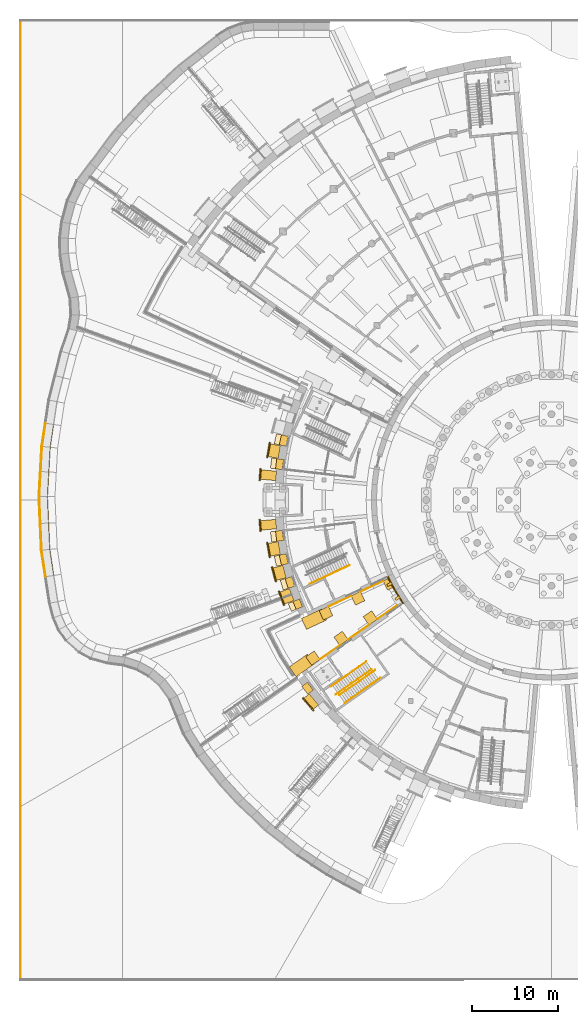
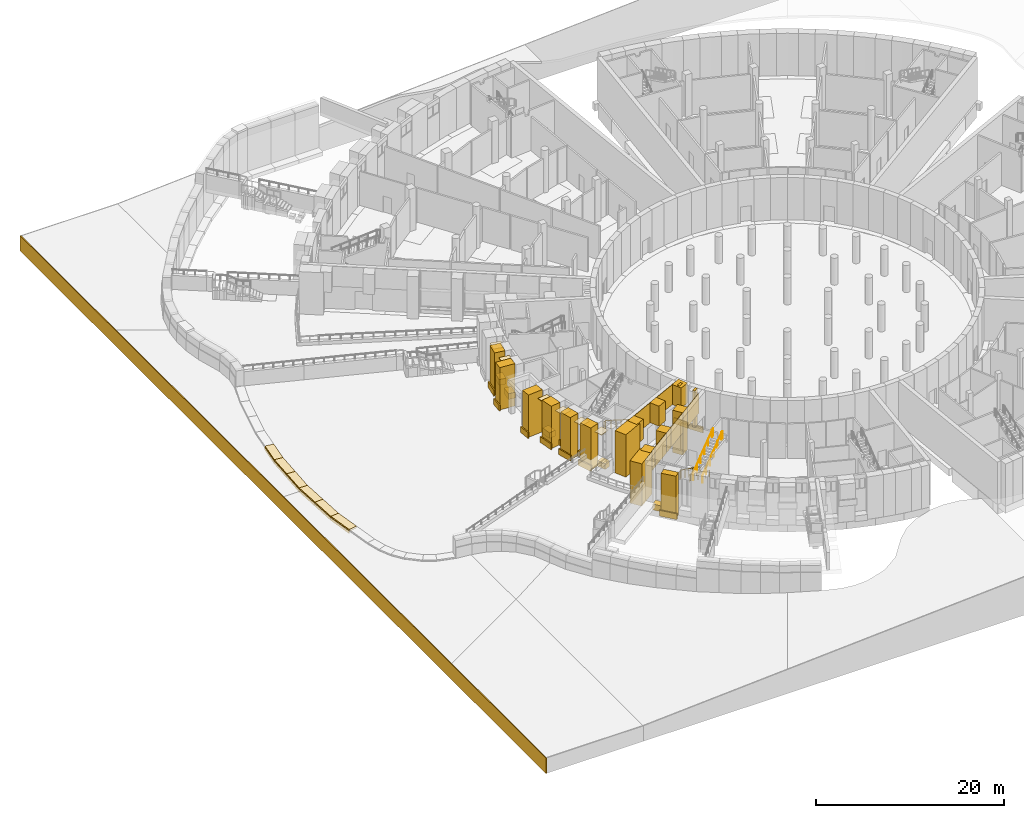
# One storey, part 55 of 65: 57 coverings, 5 railings.
"""IFC4 building model written with IfcOpenShell, lengths in metres."""

import ifcopenshell
import ifcopenshell.guid

model = None  # the IFC model being written
_history = None  # IfcOwnerHistory: only IFC2X3 demands one
_inside = {}  # id of a spatial element -> (the spatial element, [elements in it])
_under = {}  # id of a project, library or spatial element -> (it, [spatial elements below it])
_declared = {}  # id of a project -> (the project, [libraries it declares])
_typed = {}  # id of a type object -> (the type object, [elements of that type])
_made_of = {}  # id of a material, layer set ... -> (it, [elements and type objects made of it])


def new_model(schema):
    """Start an empty IFC model of exactly this schema.

    Asked for "IFC4X3", IfcOpenShell would pick the latest addendum, in which some entities
    have other attributes; the version numbers below select the first issue.
    IFC2X3 requires an IfcOwnerHistory on every rooted entity: one is made here for all.
    """
    global model, _history
    if schema == "IFC4X3":
        model = ifcopenshell.file(schema_version=(4, 3, 0, 0))
    else:
        model = ifcopenshell.file(schema=schema)
    _inside.clear()
    _under.clear()
    _declared.clear()
    _typed.clear()
    _made_of.clear()
    _history = None
    if model.schema == "IFC2X3":
        org = make("IfcOrganization", Name="unknown")
        user = make(
            "IfcPersonAndOrganization",
            ThePerson=make("IfcPerson", FamilyName="unknown"),
            TheOrganization=org,
        )
        app = make(
            "IfcApplication",
            ApplicationDeveloper=org,
            Version="unknown",
            ApplicationFullName="unknown",
            ApplicationIdentifier="unknown",
        )
        _history = make(
            "IfcOwnerHistory",
            OwningUser=user,
            OwningApplication=app,
            ChangeAction="ADDED",
            CreationDate=0,
        )
    return model


def make(cls, **values):
    """One entity of the class cls with the attributes given. An attribute that is None is left unset."""
    return model.create_entity(
        cls, **{name: value for name, value in values.items() if value is not None}
    )


def rooted(cls, **values):
    """An entity with a GlobalId (a new one), such as an element, a storey or a relation."""
    return make(cls, GlobalId=ifcopenshell.guid.new(), OwnerHistory=_history, **values)


def si_unit(unit_type, name, prefix=None):
    """IfcSIUnit, for example si_unit("LENGTHUNIT", "METRE", prefix="MILLI")."""
    return make("IfcSIUnit", UnitType=unit_type, Prefix=prefix, Name=name)


def assignment(units):
    """IfcUnitAssignment: the units of a project."""
    return None if units is None else make("IfcUnitAssignment", Units=units)


def point(xyz):
    """IfcCartesianPoint."""
    return None if xyz is None else make("IfcCartesianPoint", Coordinates=xyz)


def direction(xyz):
    """IfcDirection."""
    return None if xyz is None else make("IfcDirection", DirectionRatios=xyz)


def frame(location, z_axis=None, x_axis=None):
    """IfcAxis2Placement3D, a coordinate frame: its origin and axes. An axis left out is left unset."""
    return make(
        "IfcAxis2Placement3D",
        Location=point(location),
        Axis=direction(z_axis),
        RefDirection=direction(x_axis),
    )


def frame_2d(location, x_axis=None):
    """IfcAxis2Placement2D, a coordinate frame in the plane: its origin and x axis."""
    return make(
        "IfcAxis2Placement2D", Location=point(location), RefDirection=direction(x_axis)
    )


def origin():
    """The frame at (0, 0, 0) with its axes left unset."""
    return frame((0.0, 0.0, 0.0))


def origin_2d():
    """The frame at (0, 0) in the plane with its x axis left unset."""
    return frame_2d((0.0, 0.0))


def place(relative_to, where):
    """IfcLocalPlacement: puts the frame where relative to a parent placement (None: the world)."""
    return make(
        "IfcLocalPlacement", PlacementRelTo=relative_to, RelativePlacement=where
    )


def context(
    kind, dimensions, precision=None, world=None, true_north=None, identifier=None
):
    """IfcGeometricRepresentationContext, for example the 3D "Model" context."""
    return make(
        "IfcGeometricRepresentationContext",
        ContextIdentifier=identifier,
        ContextType=kind,
        CoordinateSpaceDimension=dimensions,
        Precision=precision,
        WorldCoordinateSystem=world,
        TrueNorth=true_north,
    )


def subcontext(parent, identifier, kind, view, scale=None):
    """IfcGeometricRepresentationSubContext, for example "Body" below "Model"."""
    return make(
        "IfcGeometricRepresentationSubContext",
        ContextIdentifier=identifier,
        ContextType=kind,
        ParentContext=parent,
        TargetScale=scale,
        TargetView=view,
    )


def project(units=None, contexts=None):
    """IfcProject with its units and contexts."""
    return rooted(
        "IfcProject",
        Name="project",
        RepresentationContexts=contexts,
        UnitsInContext=assignment(units),
    )


def spatial(cls, under=None, at=None, **own):
    """A site, building, storey or space (cls), placed at a placement, below another one or the project."""
    s = rooted(cls, ObjectPlacement=at, **own)
    if under is not None:
        _under.setdefault(under.id(), (under, []))[1].append(s)
    return s


def polyline(points):
    """IfcPolyline through the points."""
    return make("IfcPolyline", Points=[point(p) for p in points])


def profile(cls, at=None, kind="AREA", **sizes):
    """A parametric profile (cls). Its sizes go by their IFC names, for example OverallWidth=200.0."""
    return make(cls, ProfileType=kind, Position=at, **sizes)


def rectangle(**sizes):
    """IfcRectangleProfileDef."""
    return profile("IfcRectangleProfileDef", **sizes)


def circle(**sizes):
    """IfcCircleProfileDef."""
    return profile("IfcCircleProfileDef", **sizes)


def outline(outer, holes=None, kind="AREA"):
    """IfcArbitraryClosedProfileDef: a profile drawn as a closed curve; with holes, ...WithVoids."""
    if holes is None:
        return make("IfcArbitraryClosedProfileDef", ProfileType=kind, OuterCurve=outer)
    return make(
        "IfcArbitraryProfileDefWithVoids",
        ProfileType=kind,
        OuterCurve=outer,
        InnerCurves=holes,
    )


def extrude(swept, where, along, depth):
    """IfcExtrudedAreaSolid: the profile swept, set in the frame where, extruded along a direction by depth."""
    return make(
        "IfcExtrudedAreaSolid",
        SweptArea=swept,
        Position=where,
        ExtrudedDirection=direction(along),
        Depth=depth,
    )


def shape(context_of_items, identifier, shape_type, items):
    """IfcShapeRepresentation: the items that make up one representation, for example the "Body"."""
    return make(
        "IfcShapeRepresentation",
        ContextOfItems=context_of_items,
        RepresentationIdentifier=identifier,
        RepresentationType=shape_type,
        Items=items,
    )


def material(Name=None, Category=None):
    """IfcMaterial."""
    return make("IfcMaterial", Name=Name, Category=Category)


def layer(
    of_material, thickness, ventilated=None, Name=None, Category=None, Priority=None
):
    """IfcMaterialLayer: one layer of a wall or slab, of a material (None: an air gap)."""
    return make(
        "IfcMaterialLayer",
        Material=of_material,
        LayerThickness=thickness,
        IsVentilated=ventilated,
        Name=Name,
        Category=Category,
        Priority=Priority,
    )


def layer_set(layers, Name=None):
    """IfcMaterialLayerSet."""
    return make("IfcMaterialLayerSet", MaterialLayers=layers, LayerSetName=Name)


def made_of(thing, what):
    """Note that an element or type object is made of a material, layer set ...; save() writes the relation."""
    if what is not None:
        _made_of.setdefault(what.id(), (what, []))[1].append(thing)
    return thing


def type_object(cls, material=None, **own):
    """A type object (cls), such as IfcWallType, which elements share."""
    return made_of(rooted(cls, **own), material)


def element(
    cls,
    number,
    at=None,
    inside=None,
    cuts=None,
    type_object=None,
    material=None,
    context=None,
    identifier="Body",
    shape_type=None,
    held_by="IfcProductDefinitionShape",
    body=None,
    shapes=None,
    **own,
):
    """One element of the class cls, such as IfcWall. Its Tag is "e" and its number.

    at: its placement. inside: the storey or other place that contains it. cuts: it is an
    opening in that element (IfcRelVoidsElement). A single representation is given by context,
    identifier, shape_type and body (its items); several are given by shapes. held_by: the class
    of the entity that holds the representations. save() writes the other relations.
    """
    e = rooted(cls, Tag="e%d" % number, ObjectPlacement=at, **own)
    if body is not None:
        shapes = [shape(context, identifier, shape_type, body)]
    if shapes is not None:
        e.Representation = make(held_by, Representations=shapes)
    if inside is not None:
        _inside.setdefault(inside.id(), (inside, []))[1].append(e)
    if cuts is not None:
        rooted(
            "IfcRelVoidsElement", RelatingBuildingElement=cuts, RelatedOpeningElement=e
        )
    if type_object is not None:
        _typed.setdefault(type_object.id(), (type_object, []))[1].append(e)
    return made_of(e, material)


def aggregate(whole, parts):
    """IfcRelAggregates: a whole, such as a stair, and the parts it consists of."""
    return rooted("IfcRelAggregates", RelatingObject=whole, RelatedObjects=parts)


def save(model, path):
    """Write the relations noted so far, then the file.

    IfcRelAggregates (storeys below a building ...), IfcRelContainedInSpatialStructure (elements
    in a storey), IfcRelDefinesByType, IfcRelAssociatesMaterial and IfcRelDeclares: one each for
    every whole, place, type object, material and project.
    """
    for whole, parts in _under.values():
        aggregate(whole, parts)
    for where, things in _inside.values():
        rooted(
            "IfcRelContainedInSpatialStructure",
            RelatedElements=things,
            RelatingStructure=where,
        )
    for kind, things in _typed.values():
        rooted("IfcRelDefinesByType", RelatedObjects=things, RelatingType=kind)
    for what, things in _made_of.values():
        rooted("IfcRelAssociatesMaterial", RelatedObjects=things, RelatingMaterial=what)
    for by, libraries in _declared.values():
        rooted("IfcRelDeclares", RelatingContext=by, RelatedDefinitions=libraries)
    model.write(path)


model = new_model("IFC4")

# Units and contexts
model_context = context("Model", 3, precision=1e-05, world=origin(), true_north=direction((0.0, 1.0)))
body_context = subcontext(model_context, "Body", "Model", "MODEL_VIEW")
ifc_project = project(units=[si_unit("LENGTHUNIT", "METRE"), si_unit("AREAUNIT", "SQUARE_METRE"), si_unit("VOLUMEUNIT", "CUBIC_METRE"), si_unit("PLANEANGLEUNIT", "RADIAN"), si_unit("MASSUNIT", "GRAM", prefix="KILO")], contexts=[model_context])

# Site, building, storey
site_placement = place(None, origin())
site = spatial("IfcSite", under=ifc_project, at=site_placement, CompositionType="ELEMENT")
building_placement = place(site_placement, origin())
building = spatial("IfcBuilding", under=site, at=building_placement, Name="Volute Hill Aquarium", CompositionType="ELEMENT")
storey_placement = place(building_placement, frame((0.0, 0.0, -5.5)))
storey = spatial("IfcBuildingStorey", under=building, at=storey_placement, Name="L00", CompositionType="ELEMENT", Elevation=-5.5)

# Coverings
ifc_material_1 = material(Name="Blue limestone", Category="masonry")
covering_type_1 = type_object("IfcCoveringType", Name="Bluestone plinth block 275x750", PredefinedType="CLADDING", material=ifc_material_1)
for number, where, z_axis, x_axis, name in (
    (1, (-31.2119140625, 6.91943359375, 0.0), (0.0, 0.0, 1.0), (-0.216460976305, -0.976291270952, 0.0), "Bluestone plinth BPN S1 L00 3"),
    (2, (-31.6962890625, 4.1728515625, 0.0), (0.0, 0.0, 1.0), (-0.130527244804, -0.991444722798, 0.0), "Bluestone plinth BPN S1 L00 4"),
    (3, (-31.6962890625, -4.173095703125, 0.0), (0.0, 0.0, 1.0), (0.130527244804, -0.991444722798, 0.0), "Bluestone plinth BPN S1 L00 7"),
    (4, (-31.2119140625, -6.91943359375, 0.0), (0.0, 0.0, 1.0), (0.216460976305, -0.976291270952, 0.0), "Bluestone plinth BPN S1 L00 8"),
    (5, (-30.489990234375, -9.613525390625, 0.0), (0.0, 0.0, 1.0), (0.300700050093, -0.953718763512, 0.0), "Bluestone plinth BPN S1 L00 9"),
):
    element("IfcCovering", number, at=place(storey_placement, frame(where, z_axis=z_axis, x_axis=x_axis)), inside=storey, type_object=covering_type_1, Name=name, PredefinedType="CLADDING", context=body_context, shape_type="SweptSolid", body=[
        extrude(rectangle(XDim=1.19287109375, YDim=0.800048828125, at=origin_2d()), origin(), (0.0, 0.0, 1.0), 0.75),
    ])
covering_1_placement = place(storey_placement, frame((-29.574462890625, -12.141845703125, 0.0), z_axis=(0.0, 0.0, 1.0), x_axis=(0.382661654863, -0.923888552747, 0.0)))
element("IfcCovering", 6, at=covering_1_placement, inside=storey, type_object=covering_type_1, Name="Bluestone plinth BPN S1 L00 10", PredefinedType="CLADDING", context=body_context, shape_type="SweptSolid", body=[
    extrude(rectangle(XDim=0.99267578125, YDim=0.800048828125, at=origin_2d()), origin(), (0.0, 0.0, 1.0), 0.75),
])
covering_2_placement = place(storey_placement, frame((-28.43310546875, -21.943603515625, 0.0), z_axis=(0.0, 0.0, 1.0), x_axis=(0.608762000874, -0.793352901483, 0.0)))
element("IfcCovering", 7, at=covering_2_placement, inside=storey, type_object=covering_type_1, Name="Bluestone plinth BPN S2 L00 1", PredefinedType="CLADDING", context=body_context, shape_type="SweptSolid", body=[
    extrude(rectangle(XDim=1.140869140625, YDim=0.800048828125, at=origin_2d()), origin(), (0.0, 0.0, 1.0), 0.75),
])
ifc_material_2 = material(Name="Blue limestone", Category="masonry")
ifc_layer_1 = layer(ifc_material_2, 0.14990234375)
ifc_layer_set_1 = layer_set([ifc_layer_1], Name="Bluestone plinth drum block 150x750")
covering_type_2 = type_object("IfcCoveringType", Name="Bluestone plinth drum block 150x750", PredefinedType="CLADDING", material=ifc_layer_set_1)
for number, where, z_axis, x_axis, name in (
    (8, (-18.67626953125, -9.722412109375, 0.0), (0.0, 0.0, 1.0), (0.461748613235, -0.887010833178, 0.0), "Bluestone plinth BPD drum 42"),
    (9, (-17.7578125, -11.31298828125, 0.0), (0.0, 0.0, 1.0), (0.537299608347, -0.843391445813, 0.0), "Bluestone plinth BPD drum 43"),
):
    element("IfcCovering", number, at=place(storey_placement, frame(where, z_axis=z_axis, x_axis=x_axis)), inside=storey, type_object=covering_type_2, Name=name, PredefinedType="CLADDING", context=body_context, shape_type="SweptSolid", body=[
        extrude(rectangle(XDim=1.769775390625, YDim=0.14990234375, at=origin_2d()), origin(), (0.0, 0.0, 1.0), 0.75),
    ])
ifc_material_3 = material(Name="Blue limestone", Category="masonry")
ifc_layer_2 = layer(ifc_material_3, 0.14990234375)
ifc_layer_set_2 = layer_set([ifc_layer_2], Name="Bluestone plinth plate 150x750")
covering_type_3 = type_object("IfcCoveringType", Name="Bluestone plinth plate 150x750", PredefinedType="CLADDING", material=ifc_layer_set_2)
covering_3_placement = place(storey_placement, frame((-32.981201171875, 5.8154296875, 0.0), z_axis=(0.0, 0.0, 1.0), x_axis=(-0.173648177667, -0.984807753012, 0.0)))
element("IfcCovering", 10, at=covering_3_placement, inside=storey, type_object=covering_type_3, Name="Bluestone plinth BP S1 L00 3", PredefinedType="CLADDING", context=body_context, shape_type="SweptSolid", body=[
    extrude(rectangle(XDim=1.80224609375, YDim=0.14990234375, at=origin_2d()), origin(), (0.0, 0.0, 1.0), 0.75),
])
for number, where, z_axis, x_axis, name in (
    (11, (-33.96044921875, 2.97119140625, 0.0), (0.0, 0.0, 1.0), (-0.087155742748, -0.996194698092, 0.0), "Bluestone plinth BP S1 L00 4"),
    (12, (-33.96044921875, -2.97119140625, 0.0), (0.0, 0.0, 1.0), (0.087155742748, -0.996194698092, 0.0), "Bluestone plinth BP S1 L00 6"),
):
    element("IfcCovering", number, at=place(storey_placement, frame(where, z_axis=z_axis, x_axis=x_axis)), inside=storey, type_object=covering_type_3, Name=name, PredefinedType="CLADDING", context=body_context, shape_type="SweptSolid", body=[
        extrude(rectangle(XDim=1.39990234375, YDim=0.14990234375, at=origin_2d()), origin(), (0.0, 0.0, 1.0), 0.75),
    ])
for number, where, z_axis, x_axis, name in (
    (13, (-32.981201171875, -5.8154296875, 0.0), (0.0, 0.0, 1.0), (0.173648177667, -0.984807753012, 0.0), "Bluestone plinth BP S1 L00 7"),
    (14, (-32.348876953125, -8.66796875, 0.0), (0.0, 0.0, 1.0), (0.258819045103, -0.965925826289, 0.0), "Bluestone plinth BP S1 L00 8"),
    (15, (-31.47021484375, -11.454345703125, 0.0), (0.0, 0.0, 1.0), (0.342020143326, -0.939692620786, 0.0), "Bluestone plinth BP S1 L00 9"),
):
    element("IfcCovering", number, at=place(storey_placement, frame(where, z_axis=z_axis, x_axis=x_axis)), inside=storey, type_object=covering_type_3, Name=name, PredefinedType="CLADDING", context=body_context, shape_type="SweptSolid", body=[
        extrude(rectangle(XDim=1.80224609375, YDim=0.14990234375, at=origin_2d()), origin(), (0.0, 0.0, 1.0), 0.75),
    ])
covering_4_placement = place(storey_placement, frame((-28.37109375, -23.80615234375, 0.0), z_axis=(0.0, 0.0, 1.0), x_axis=(0.642787609687, -0.766044443119, 0.0)))
element("IfcCovering", 16, at=covering_4_placement, inside=storey, type_object=covering_type_3, Name="Bluestone plinth BP S2 L00 1", PredefinedType="CLADDING", context=body_context, shape_type="SweptSolid", body=[
    extrude(rectangle(XDim=1.98876953125, YDim=0.14990234375, at=origin_2d()), origin(), (0.0, 0.0, 1.0), 0.75),
])
ifc_material_4 = material(Name="Precast pale concrete C40/50", Category="concrete")
covering_type_4 = type_object("IfcCoveringType", Name="Drum pier fin 300x600", PredefinedType="CLADDING", material=ifc_material_4)
for number, where, z_axis, x_axis, name in (
    (17, (-18.8759765625, -9.826171875, 0.75), (0.0, 0.0, 1.0), (0.461748613235, -0.887010833178, 0.0), "Drum pier fin DF 42 L00"),
    (18, (-17.947509765625, -11.433837890625, 0.75), (0.0, 0.0, 1.0), (0.537299608347, -0.843391445813, 0.0), "Drum pier fin DF 43 L00"),
):
    element("IfcCovering", number, at=place(storey_placement, frame(where, z_axis=z_axis, x_axis=x_axis)), inside=storey, type_object=covering_type_4, Name=name, PredefinedType="CLADDING", context=body_context, shape_type="SweptSolid", body=[
        extrude(rectangle(XDim=0.300048828125, YDim=0.60009765625, at=origin_2d()), origin(), (0.0, 0.0, 1.0), 4.75),
    ])
ifc_material_5 = material(Name="Precast concrete C40/50", Category="concrete")
covering_type_5 = type_object("IfcCoveringType", Name="End wall precast fin C40/50 1200x1200", PredefinedType="CLADDING", material=ifc_material_5)
for number, where, z_axis, x_axis, name in (
    (19, (-18.8271484375, -9.717041015625, 2.89990234375), (0.0, 0.0, 1.0), (-0.906304180904, -0.42262599503, 0.0), "End wall fin EWF S1B L00 1"),
    (20, (-22.556640625, -11.456298828125, 2.89990234375), (0.0, 0.0, 1.0), (-0.906304180904, -0.42262599503, 0.0), "End wall fin EWF S1B L00 2"),
    (21, (-26.2861328125, -13.1953125, 2.89990234375), (0.0, 0.0, 1.0), (-0.906304180904, -0.42262599503, 0.0), "End wall fin EWF S1B L00 3"),
):
    element("IfcCovering", number, at=place(storey_placement, frame(where, z_axis=z_axis, x_axis=x_axis)), inside=storey, type_object=covering_type_5, Name=name, PredefinedType="CLADDING", context=body_context, shape_type="SweptSolid", body=[
        extrude(rectangle(XDim=1.199951171875, YDim=1.199951171875, at=origin_2d()), origin(), (0.0, 0.0, 1.0), 2.60009765625),
    ])
covering_5_placement = place(storey_placement, frame((-21.11376953125, -13.746337890625, 0.0), z_axis=(0.0, 0.0, 1.0), x_axis=(-0.81915382895, -0.573573887583, 0.0)))
element("IfcCovering", 22, at=covering_5_placement, inside=storey, type_object=covering_type_5, Name="End wall fin EWF S2A L00 2", PredefinedType="CLADDING", context=body_context, shape_type="SweptSolid", body=[
    extrude(rectangle(XDim=1.199951171875, YDim=1.199951171875, at=origin_2d()), origin(), (0.0, 0.0, 1.0), 5.5),
])
for number, where, z_axis, x_axis, name in (
    (23, (-24.521484375, -16.13232421875, 2.89990234375), (0.0, 0.0, 1.0), (-0.81915382895, -0.573573887583, 0.0), "End wall fin EWF S2A L00 3"),
    (24, (-27.80615234375, -18.432373046875, 2.89990234375), (0.0, 0.0, 1.0), (-0.81915382895, -0.573573887583, 0.0), "End wall fin EWF S2A L00 4"),
):
    element("IfcCovering", number, at=place(storey_placement, frame(where, z_axis=z_axis, x_axis=x_axis)), inside=storey, type_object=covering_type_5, Name=name, PredefinedType="CLADDING", context=body_context, shape_type="SweptSolid", body=[
        extrude(rectangle(XDim=1.199951171875, YDim=1.199951171875, at=origin_2d()), origin(), (0.0, 0.0, 1.0), 2.60009765625),
    ])
ifc_material_6 = material(Name="Precast concrete C40/50", Category="concrete")
ifc_layer_3 = layer(ifc_material_6, 0.050048828125)
ifc_layer_set_3 = layer_set([ifc_layer_3], Name="End wall precast infill panel C40/50 50")
covering_type_6 = type_object("IfcCoveringType", Name="End wall precast infill panel C40/50 50", PredefinedType="CLADDING", material=ifc_layer_set_3)
for number, where, z_axis, x_axis, name in (
    (25, (-19.62451171875, -9.427001953125, 2.89990234375), (-0.422624097709, 0.906305065657, 0.0), (-0.906305065657, -0.422624097709, 0.0), "End wall panel EWP S1B L00 1"),
    (26, (-23.35400390625, -11.166015625, 2.89990234375), (-0.422624097709, 0.906305065657, 0.0), (-0.906305065657, -0.422624097709, 0.0), "End wall panel EWP S1B L00 2"),
):
    element("IfcCovering", number, at=place(storey_placement, frame(where, z_axis=z_axis, x_axis=x_axis)), inside=storey, type_object=covering_type_6, Name=name, PredefinedType="CLADDING", context=body_context, shape_type="SweptSolid", body=[
        extrude(outline(polyline([(0.0, 0.0), (2.9149629669225328, 0.0), (2.9149629669225328, 2.60009765625), (0.0, 2.60009765625), (0.0, 0.0)])), origin(), (0.0, 0.0, -1.0), 0.050048828125),
    ])
covering_6_placement = place(storey_placement, frame((-18.005126953125, -12.240966796875, 2.89990234375), z_axis=(-0.573602281943, 0.819133946403, 0.0), x_axis=(-0.819133946403, -0.573602281943, 0.0)))
element("IfcCovering", 27, at=covering_6_placement, inside=storey, type_object=covering_type_6, Name="End wall panel EWP S2A L00 1", PredefinedType="CLADDING", context=body_context, shape_type="SweptSolid", body=[
    extrude(outline(polyline([(0.0, 0.0), (2.8099895293152697, 0.0), (2.8099895293152697, 2.60009765625), (0.0, 2.60009765625), (0.0, 0.0)])), origin(), (0.0, 0.0, -1.0), 0.050048828125),
])
covering_7_placement = place(storey_placement, frame((-21.289794921875, -14.541015625, 2.89990234375), z_axis=(-0.573550907821, 0.819169918965, 0.0), x_axis=(-0.819169918965, -0.573550907821, 0.0)))
element("IfcCovering", 28, at=covering_7_placement, inside=storey, type_object=covering_type_6, Name="End wall panel EWP S2A L00 2", PredefinedType="CLADDING", context=body_context, shape_type="SweptSolid", body=[
    extrude(outline(polyline([(0.0, 0.0), (2.960075353552525, 0.0), (2.960075353552525, 2.60009765625), (0.0, 2.60009765625), (0.0, 0.0)])), origin(), (0.0, 0.0, -1.0), 0.050048828125),
])
covering_8_placement = place(storey_placement, frame((-24.697509765625, -16.927001953125, 2.89990234375), z_axis=(-0.573602281943, 0.819133946403, 0.0), x_axis=(-0.819133946403, -0.573602281943, 0.0)))
element("IfcCovering", 29, at=covering_8_placement, inside=storey, type_object=covering_type_6, Name="End wall panel EWP S2A L00 3", PredefinedType="CLADDING", context=body_context, shape_type="SweptSolid", body=[
    extrude(outline(polyline([(0.0, 0.0), (2.8099895293152697, 0.0), (2.8099895293152697, 2.60009765625), (0.0, 2.60009765625), (0.0, 0.0)])), origin(), (0.0, 0.0, -1.0), 0.050048828125),
])

# Railings
ifc_material_7 = material(Name="Stainless steel 1.4301", Category="steel")
railing_type_1 = type_object("IfcRailingType", Name="Guard 1100 stainless", PredefinedType="GUARDRAIL", material=ifc_material_7)
railing_1_placement = place(storey_placement, frame((-23.538818359375, -7.611083984375, 0.161865234375)))
element("IfcRailing", 30, at=railing_1_placement, inside=storey, type_object=railing_type_1, Name="gd/S1-B/L00/1", PredefinedType="GUARDRAIL", context=body_context, shape_type="SweptSolid", body=[
    extrude(circle(Radius=0.02392578125, at=origin_2d()), frame((0.0, 0.0, 1.076171875), z_axis=(-0.797737998729, -0.371985242238, 0.474595685758), x_axis=(0.422612573246, -0.906310439604, 0.0)), (0.0, 0.0, 1.0), 5.453369140625),
    extrude(circle(Radius=0.02392578125, at=origin_2d()), frame((-4.350341796875, -2.028564453125, 3.6640625), z_axis=(-0.906307919131, -0.422617978463, 0.0), x_axis=(0.422617978463, -0.906307919131, 0.0)), (0.0, 0.0, 1.0), 0.2998046875),
    extrude(circle(Radius=0.02099609375, at=origin_2d()), origin(), (0.0, 0.0, 1.0), 1.052001953125),
    extrude(circle(Radius=0.02099609375, at=origin_2d()), frame((-0.8701171875, -0.40576171875, 0.517578125)), (0.0, 0.0, 1.0), 1.052001953125),
    extrude(circle(Radius=0.02099609375, at=origin_2d()), frame((-1.740234375, -0.8115234375, 1.03515625)), (0.0, 0.0, 1.0), 1.052001953125),
    extrude(circle(Radius=0.02099609375, at=origin_2d()), frame((-2.610107421875, -1.217041015625, 1.552978515625)), (0.0, 0.0, 1.0), 1.052001953125),
    extrude(circle(Radius=0.02099609375, at=origin_2d()), frame((-3.480224609375, -1.622802734375, 2.070556640625)), (0.0, 0.0, 1.0), 1.052001953125),
    extrude(circle(Radius=0.02099609375, at=origin_2d()), frame((-4.350341796875, -2.028564453125, 2.588134765625)), (0.0, 0.0, 1.0), 1.052001953125),
    extrude(circle(Radius=0.02099609375, at=origin_2d()), frame((-4.6220703125, -2.1552734375, 2.588134765625)), (0.0, 0.0, 1.0), 1.052001953125),
])
railing_2_placement = place(storey_placement, frame((-21.596435546875, -18.84521484375, 0.161865234375)))
element("IfcRailing", 31, at=railing_2_placement, inside=storey, type_object=railing_type_1, Name="gd/S2-A/L00/1", PredefinedType="GUARDRAIL", context=body_context, shape_type="SweptSolid", body=[
    extrude(circle(Radius=0.02392578125, at=origin_2d()), frame((0.0, 0.0, 1.076171875), z_axis=(-0.721014479241, -0.504866829084, 0.474602576494), x_axis=(0.573581815061, -0.819148278049, 0.0)), (0.0, 0.0, 1.0), 5.453369140625),
    extrude(circle(Radius=0.02392578125, at=origin_2d()), frame((-3.931884765625, -2.753173828125, 3.6640625), z_axis=(-0.819193700616, -0.573516940352, 0.0), x_axis=(0.573516940352, -0.819193700616, 0.0)), (0.0, 0.0, 1.0), 0.300048828125),
    extrude(circle(Radius=0.02099609375, at=origin_2d()), origin(), (0.0, 0.0, 1.0), 1.052001953125),
    extrude(circle(Radius=0.02099609375, at=origin_2d()), frame((-0.786376953125, -0.550537109375, 0.517578125)), (0.0, 0.0, 1.0), 1.052001953125),
    extrude(circle(Radius=0.02099609375, at=origin_2d()), frame((-1.57275390625, -1.101318359375, 1.03515625)), (0.0, 0.0, 1.0), 1.052001953125),
    extrude(circle(Radius=0.02099609375, at=origin_2d()), frame((-2.359130859375, -1.65185546875, 1.552978515625)), (0.0, 0.0, 1.0), 1.052001953125),
    extrude(circle(Radius=0.02099609375, at=origin_2d()), frame((-3.1455078125, -2.20263671875, 2.070556640625)), (0.0, 0.0, 1.0), 1.052001953125),
    extrude(circle(Radius=0.02099609375, at=origin_2d()), frame((-3.931884765625, -2.753173828125, 2.588134765625)), (0.0, 0.0, 1.0), 1.052001953125),
    extrude(circle(Radius=0.02099609375, at=origin_2d()), frame((-4.177734375, -2.92529296875, 2.588134765625)), (0.0, 0.0, 1.0), 1.052001953125),
])
ifc_material_8 = material(Name="Stainless steel 1.4301", Category="steel")
railing_type_2 = type_object("IfcRailingType", Name="Handrail 48 stainless", PredefinedType="HANDRAIL", material=ifc_material_8)
railing_3_placement = place(storey_placement, frame((-20.965576171875, -19.746337890625, 0.161865234375)))
element("IfcRailing", 32, at=railing_3_placement, inside=storey, type_object=railing_type_2, Name="hr/S2-A/L00/2", PredefinedType="HANDRAIL", context=body_context, shape_type="SweptSolid", body=[
    extrude(circle(Radius=0.02392578125, at=origin_2d()), frame((0.0, 0.0, 0.8759765625), z_axis=(-0.721014479241, -0.504866829084, 0.474602576494), x_axis=(0.573581815061, -0.819148278049, 0.0)), (0.0, 0.0, 1.0), 5.453369140625),
    extrude(circle(Radius=0.02392578125, at=origin_2d()), frame((-3.931884765625, -2.753173828125, 3.4638671875), z_axis=(-0.819193700616, -0.573516940352, 0.0), x_axis=(0.573516940352, -0.819193700616, 0.0)), (0.0, 0.0, 1.0), 0.300048828125),
    extrude(circle(Radius=0.02099609375, at=origin_2d()), origin(), (0.0, 0.0, 1.0), 0.851806640625),
    extrude(circle(Radius=0.02099609375, at=origin_2d()), frame((-0.786376953125, -0.550537109375, 0.517578125)), (0.0, 0.0, 1.0), 0.851806640625),
    extrude(circle(Radius=0.02099609375, at=origin_2d()), frame((-1.57275390625, -1.101318359375, 1.03515625)), (0.0, 0.0, 1.0), 0.851806640625),
    extrude(circle(Radius=0.02099609375, at=origin_2d()), frame((-2.359130859375, -1.65185546875, 1.552978515625)), (0.0, 0.0, 1.0), 0.851806640625),
    extrude(circle(Radius=0.02099609375, at=origin_2d()), frame((-3.1455078125, -2.20263671875, 2.070556640625)), (0.0, 0.0, 1.0), 0.851806640625),
    extrude(circle(Radius=0.02099609375, at=origin_2d()), frame((-3.931884765625, -2.753173828125, 2.588134765625)), (0.0, 0.0, 1.0), 0.851806640625),
    extrude(circle(Radius=0.02099609375, at=origin_2d()), frame((-4.177734375, -2.92529296875, 2.588134765625)), (0.0, 0.0, 1.0), 0.851806640625),
])
for number, where, name in (
    (33, (-24.725341796875, -22.745361328125, 2.911865234375), "hr/S2-A/L00/3"),
    (34, (-24.094482421875, -23.646484375, 2.911865234375), "hr/S2-A/L00/4"),
):
    element("IfcRailing", number, at=place(storey_placement, frame(where)), inside=storey, type_object=railing_type_2, Name=name, PredefinedType="HANDRAIL", context=body_context, shape_type="SweptSolid", body=[
        extrude(circle(Radius=0.02392578125, at=origin_2d()), frame((0.0, 0.0, 0.8759765625), z_axis=(0.721014479241, 0.504866829084, 0.474602576494), x_axis=(-0.573581815061, 0.819148278049, 0.0)), (0.0, 0.0, 1.0), 5.453369140625),
        extrude(circle(Radius=0.02392578125, at=origin_2d()), frame((3.931884765625, 2.753173828125, 3.4638671875), z_axis=(0.819193700616, 0.573516940352, 0.0), x_axis=(-0.573516940352, 0.819193700616, 0.0)), (0.0, 0.0, 1.0), 0.300048828125),
        extrude(circle(Radius=0.02099609375, at=origin_2d()), origin(), (0.0, 0.0, 1.0), 0.851806640625),
        extrude(circle(Radius=0.02099609375, at=origin_2d()), frame((0.786376953125, 0.550537109375, 0.517578125)), (0.0, 0.0, 1.0), 0.851806640625),
        extrude(circle(Radius=0.02099609375, at=origin_2d()), frame((1.57275390625, 1.101318359375, 1.03515625)), (0.0, 0.0, 1.0), 0.851806640625),
        extrude(circle(Radius=0.02099609375, at=origin_2d()), frame((2.359130859375, 1.65185546875, 1.552978515625)), (0.0, 0.0, 1.0), 0.851806640625),
        extrude(circle(Radius=0.02099609375, at=origin_2d()), frame((3.1455078125, 2.20263671875, 2.070556640625)), (0.0, 0.0, 1.0), 0.851806640625),
        extrude(circle(Radius=0.02099609375, at=origin_2d()), frame((3.931884765625, 2.753173828125, 2.588134765625)), (0.0, 0.0, 1.0), 0.851806640625),
        extrude(circle(Radius=0.02099609375, at=origin_2d()), frame((4.177734375, 2.92529296875, 2.588134765625)), (0.0, 0.0, 1.0), 0.851806640625),
    ])

# Coverings
ifc_material_9 = material(Name="Aluminium, anodised", Category="aluminium")
ifc_layer_4 = layer(ifc_material_9, 0.080078125)
ifc_layer_set_4 = layer_set([ifc_layer_4], Name="Horizontal brise-soleil eyebrow 1200x80")
covering_type_7 = type_object("IfcCoveringType", Name="Horizontal brise-soleil eyebrow 1200x80", PredefinedType="CLADDING", material=ifc_layer_set_4)
for number, where, z_axis, x_axis, name in (
    (35, (-31.6025390625, 7.006103515625, 4.760009765625), (0.0, 0.0, 1.0), (-0.216460976305, -0.976291270952, 0.0), "Brise-soleil eyebrow BS S1 L00 3.1"),
    (36, (-32.0927734375, 4.22509765625, 4.760009765625), (0.0, 0.0, 1.0), (-0.130527244804, -0.991444722798, 0.0), "Brise-soleil eyebrow BS S1 L00 4.1"),
    (37, (-32.0927734375, -4.225341796875, 4.760009765625), (0.0, 0.0, 1.0), (0.130527244804, -0.991444722798, 0.0), "Brise-soleil eyebrow BS S1 L00 7.1"),
    (38, (-31.602294921875, -7.006103515625, 4.760009765625), (0.0, 0.0, 1.0), (0.216460976305, -0.976291270952, 0.0), "Brise-soleil eyebrow BS S1 L00 8.1"),
    (39, (-30.87158203125, -9.73388671875, 4.760009765625), (0.0, 0.0, 1.0), (0.300700050093, -0.953718763512, 0.0), "Brise-soleil eyebrow BS S1 L00 9.1"),
):
    element("IfcCovering", number, at=place(storey_placement, frame(where, z_axis=z_axis, x_axis=x_axis)), inside=storey, type_object=covering_type_7, Name=name, PredefinedType="CLADDING", context=body_context, shape_type="SweptSolid", body=[
        extrude(rectangle(XDim=1.19287109375, YDim=1.199951171875, at=origin_2d()), origin(), (0.0, 0.0, 1.0), 0.080078125),
    ])
covering_9_placement = place(storey_placement, frame((-29.944091796875, -12.294921875, 4.760009765625), z_axis=(0.0, 0.0, 1.0), x_axis=(0.382661654863, -0.923888552747, 0.0)))
element("IfcCovering", 40, at=covering_9_placement, inside=storey, type_object=covering_type_7, Name="Brise-soleil eyebrow BS S1 L00 10.1", PredefinedType="CLADDING", context=body_context, shape_type="SweptSolid", body=[
    extrude(rectangle(XDim=0.99267578125, YDim=1.199951171875, at=origin_2d()), origin(), (0.0, 0.0, 1.0), 0.080078125),
])
ifc_material_10 = material(Name="Precast concrete C40/50", Category="concrete")
ifc_layer_5 = layer(ifc_material_10, 0.25)
ifc_layer_set_5 = layer_set([ifc_layer_5], Name="Plinth coping precast concrete C40/50 1000")
covering_type_8 = type_object("IfcCoveringType", Name="Plinth coping precast concrete C40/50 1000", PredefinedType="CLADDING", material=ifc_layer_set_5)
covering_10_placement = place(storey_placement, frame((0.0, 0.0, -0.10009765625)))
element("IfcCovering", 41, at=covering_10_placement, inside=storey, type_object=covering_type_8, Name="cp/E95LC/L00/1", PredefinedType="CLADDING", context=body_context, shape_type="SweptSolid", body=[
    extrude(outline(polyline([(-59.404541015625, 6.244140625), (-59.404541015625, 6.244140625), (-58.40869140625, 6.141845703125), (-58.009521484375, 8.800537109375), (-58.998291015625, 8.94921875), (-59.404541015625, 6.244140625)])), origin(), (0.0, 0.0, 1.0), 0.25),
])
covering_11_placement = place(storey_placement, frame((0.0, 0.0, -0.10009765625)))
element("IfcCovering", 42, at=covering_11_placement, inside=storey, type_object=covering_type_8, Name="cp/E96LC/L00/0", PredefinedType="CLADDING", context=body_context, shape_type="SweptSolid", body=[
    extrude(outline(polyline([(-59.404541015625, 6.244140625), (-59.5673828125, 3.318603515625), (-58.56884765625, 3.262939453125), (-58.40869140625, 6.141845703125), (-58.40869140625, 6.141845703125), (-59.404541015625, 6.244140625)])), origin(), (0.0, 0.0, 1.0), 0.25),
])
covering_12_placement = place(storey_placement, frame((0.0, 0.0, -0.10009765625)))
element("IfcCovering", 43, at=covering_12_placement, inside=storey, type_object=covering_type_8, Name="cp/E96LC/L00/1", PredefinedType="CLADDING", context=body_context, shape_type="SweptSolid", body=[
    extrude(outline(polyline([(-59.5673828125, 3.318603515625), (-59.73046875, 0.391357421875), (-58.729248046875, 0.3857421875), (-58.56884765625, 3.262939453125), (-59.5673828125, 3.318603515625)])), origin(), (0.0, 0.0, 1.0), 0.25),
])
covering_13_placement = place(storey_placement, frame((0.0, 0.0, -0.10009765625)))
element("IfcCovering", 44, at=covering_13_placement, inside=storey, type_object=covering_type_8, Name="cp/E97LC/L00/0", PredefinedType="CLADDING", context=body_context, shape_type="SweptSolid", body=[
    extrude(outline(polyline([(-59.73046875, 0.391357421875), (-59.59130859375, -2.73095703125), (-58.592529296875, -2.6865234375), (-58.729248046875, 0.3857421875), (-58.729248046875, 0.3857421875), (-59.73046875, 0.391357421875), (-59.73046875, 0.391357421875)])), origin(), (0.0, 0.0, 1.0), 0.25),
])
covering_14_placement = place(storey_placement, frame((0.0, 0.0, -0.10009765625)))
element("IfcCovering", 45, at=covering_14_placement, inside=storey, type_object=covering_type_8, Name="cp/E97LC/L00/1", PredefinedType="CLADDING", context=body_context, shape_type="SweptSolid", body=[
    extrude(outline(polyline([(-59.452392578125, -5.855224609375), (-59.452392578125, -5.855224609375), (-58.455810546875, -5.757080078125), (-58.455810546875, -5.757080078125), (-58.592529296875, -2.6865234375), (-59.59130859375, -2.73095703125), (-59.452392578125, -5.855224609375)])), origin(), (0.0, 0.0, 1.0), 0.25),
])
covering_15_placement = place(storey_placement, frame((0.0, 0.0, -0.10009765625)))
element("IfcCovering", 46, at=covering_15_placement, inside=storey, type_object=covering_type_8, Name="cp/E98LC/L00/0", PredefinedType="CLADDING", context=body_context, shape_type="SweptSolid", body=[
    extrude(outline(polyline([(-59.452392578125, -5.855224609375), (-58.979248046875, -8.946044921875), (-57.990966796875, -8.794921875), (-58.455810546875, -5.757080078125), (-59.452392578125, -5.855224609375)])), origin(), (0.0, 0.0, 1.0), 0.25),
])
ifc_material_11 = material(Name="Precast concrete C40/50", Category="concrete")
covering_type_9 = type_object("IfcCoveringType", Name="Projecting pier precast concrete C40/50 1100x1800", PredefinedType="CLADDING", material=ifc_material_11)
for number, where, z_axis, x_axis, name in (
    (47, (-32.989013671875, 2.88623046875, 0.0), (0.0, 0.0, 1.0), (-0.087155742748, -0.996194698092, 0.0), "Projecting pier PP S1 L00 4"),
    (48, (-32.989013671875, -2.88623046875, 0.0), (0.0, 0.0, 1.0), (0.087155742748, -0.996194698092, 0.0), "Projecting pier PP S1 L00 6"),
):
    element("IfcCovering", number, at=place(storey_placement, frame(where, z_axis=z_axis, x_axis=x_axis)), inside=storey, type_object=covering_type_9, Name=name, PredefinedType="CLADDING", context=body_context, shape_type="SweptSolid", body=[
        extrude(rectangle(XDim=1.10009765625, YDim=1.800048828125, at=origin_2d()), origin(), (0.0, 0.0, 1.0), 5.5),
    ])
ifc_material_12 = material(Name="Precast concrete C40/50", Category="concrete")
covering_type_10 = type_object("IfcCoveringType", Name="Projecting pier precast concrete C40/50 1502x1200", PredefinedType="CLADDING", material=ifc_material_12)
for number, where, z_axis, x_axis, name in (
    (49, (-32.31640625, 5.6982421875, 0.0), (0.0, 0.0, 1.0), (-0.173648177667, -0.984807753012, 0.0), "Projecting pier PP S1 L00 3"),
    (50, (-32.316650390625, -5.6982421875, 0.0), (0.0, 0.0, 1.0), (0.173648177667, -0.984807753012, 0.0), "Projecting pier PP S1 L00 7"),
    (51, (-31.697021484375, -8.4931640625, 0.0), (0.0, 0.0, 1.0), (0.258819045103, -0.965925826289, 0.0), "Projecting pier PP S1 L00 8"),
    (52, (-30.836181640625, -11.223388671875, 0.0), (0.0, 0.0, 1.0), (0.342020143326, -0.939692620786, 0.0), "Projecting pier PP S1 L00 9"),
):
    element("IfcCovering", number, at=place(storey_placement, frame(where, z_axis=z_axis, x_axis=x_axis)), inside=storey, type_object=covering_type_10, Name=name, PredefinedType="CLADDING", context=body_context, shape_type="SweptSolid", body=[
        extrude(rectangle(XDim=1.502197265625, YDim=1.199951171875, at=origin_2d()), origin(), (0.0, 0.0, 1.0), 5.5),
    ])
ifc_material_13 = material(Name="Precast concrete C40/50", Category="concrete")
covering_type_11 = type_object("IfcCoveringType", Name="Projecting pier precast concrete C40/50 1689x800", PredefinedType="CLADDING", material=ifc_material_13)
covering_16_placement = place(storey_placement, frame((-28.007080078125, -23.5009765625, 0.0), z_axis=(0.0, 0.0, 1.0), x_axis=(0.642787609687, -0.766044443119, 0.0)))
element("IfcCovering", 53, at=covering_16_placement, inside=storey, type_object=covering_type_11, Name="Projecting pier PP S2 L00 1", PredefinedType="CLADDING", context=body_context, shape_type="SweptSolid", body=[
    extrude(rectangle(XDim=1.688720703125, YDim=0.800048828125, at=origin_2d()), origin(), (0.0, 0.0, 1.0), 5.5),
])
ifc_material_14 = material(Name="Precast concrete C40/50", Category="concrete")
ifc_layer_6 = layer(ifc_material_14, 0.10009765625)
ifc_layer_set_6 = layer_set([ifc_layer_6], Name="Retained ground face precast concrete C40/50 100")
covering_type_12 = type_object("IfcCoveringType", Name="Retained ground face precast concrete C40/50 100", PredefinedType="CLADDING", material=ifc_layer_set_6)
covering_17_placement = place(storey_placement, frame((0.0, 0.0, -0.35009765625)))
element("IfcCovering", 54, at=covering_17_placement, inside=storey, type_object=covering_type_12, Name="tg/E95LC/L00/1", PredefinedType="CLADDING", context=body_context, shape_type="SweptSolid", body=[
    extrude(outline(polyline([(-59.0478515625, 8.95654296875), (-59.454345703125, 6.249267578125), (-59.354736328125, 6.239013671875), (-58.948974609375, 8.941650390625), (-59.0478515625, 8.95654296875)])), origin(), (0.0, 0.0, 1.0), 0.35009765625),
])
covering_18_placement = place(storey_placement, frame((0.0, 0.0, -0.35009765625)))
element("IfcCovering", 55, at=covering_18_placement, inside=storey, type_object=covering_type_12, Name="tg/E96LC/L00/0", PredefinedType="CLADDING", context=body_context, shape_type="SweptSolid", body=[
    extrude(outline(polyline([(-59.454345703125, 6.249267578125), (-59.617431640625, 3.321533203125), (-59.517578125, 3.31591796875), (-59.354736328125, 6.239013671875), (-59.354736328125, 6.239013671875), (-59.454345703125, 6.249267578125), (-59.454345703125, 6.249267578125)])), origin(), (0.0, 0.0, 1.0), 0.35009765625),
])
covering_19_placement = place(storey_placement, frame((0.0, 0.0, -0.35009765625)))
element("IfcCovering", 56, at=covering_19_placement, inside=storey, type_object=covering_type_12, Name="tg/E96LC/L00/1", PredefinedType="CLADDING", context=body_context, shape_type="SweptSolid", body=[
    extrude(outline(polyline([(-59.780517578125, 0.3916015625), (-59.780517578125, 0.3916015625), (-59.680419921875, 0.39111328125), (-59.517578125, 3.31591796875), (-59.617431640625, 3.321533203125), (-59.780517578125, 0.3916015625)])), origin(), (0.0, 0.0, 1.0), 0.35009765625),
])
covering_20_placement = place(storey_placement, frame((0.0, 0.0, -0.35009765625)))
element("IfcCovering", 57, at=covering_20_placement, inside=storey, type_object=covering_type_12, Name="tg/E97LC/L00/0", PredefinedType="CLADDING", context=body_context, shape_type="SweptSolid", body=[
    extrude(outline(polyline([(-59.780517578125, 0.3916015625), (-59.641357421875, -2.733154296875), (-59.54150390625, -2.728759765625), (-59.680419921875, 0.39111328125), (-59.680419921875, 0.39111328125), (-59.780517578125, 0.3916015625)])), origin(), (0.0, 0.0, 1.0), 0.35009765625),
])
covering_21_placement = place(storey_placement, frame((0.0, 0.0, -0.35009765625)))
element("IfcCovering", 58, at=covering_21_placement, inside=storey, type_object=covering_type_12, Name="tg/E97LC/L00/1", PredefinedType="CLADDING", context=body_context, shape_type="SweptSolid", body=[
    extrude(outline(polyline([(-59.641357421875, -2.733154296875), (-59.502197265625, -5.860107421875), (-59.402587890625, -5.850341796875), (-59.402587890625, -5.850341796875), (-59.54150390625, -2.728759765625), (-59.641357421875, -2.733154296875)])), origin(), (0.0, 0.0, 1.0), 0.35009765625),
])
covering_22_placement = place(storey_placement, frame((0.0, 0.0, -0.35009765625)))
element("IfcCovering", 59, at=covering_22_placement, inside=storey, type_object=covering_type_12, Name="tg/E98LC/L00/0", PredefinedType="CLADDING", context=body_context, shape_type="SweptSolid", body=[
    extrude(outline(polyline([(-59.502197265625, -5.860107421875), (-59.02880859375, -8.95361328125), (-58.929931640625, -8.9384765625), (-59.402587890625, -5.850341796875), (-59.502197265625, -5.860107421875), (-59.502197265625, -5.860107421875)])), origin(), (0.0, 0.0, 1.0), 0.35009765625),
])
covering_23_placement = place(storey_placement, frame((-61.949951171875, 55.949951171875, -2.0), z_axis=(-1.0, 0.0, 0.0), x_axis=(0.0, -1.0, 0.0)))
element("IfcCovering", 60, at=covering_23_placement, inside=storey, type_object=covering_type_12, Name="tf/7/L00/0", PredefinedType="CLADDING", context=body_context, shape_type="SweptSolid", body=[
    extrude(outline(polyline([(0.0, 0.0), (111.89990234375, 0.0), (111.89990234375, 2.0), (0.0, 2.0), (0.0, 0.0)])), origin(), (0.0, 0.0, -1.0), 0.10009765625),
])
ifc_material_15 = material(Name="Precast concrete C40/50", Category="concrete")
covering_type_13 = type_object("IfcCoveringType", Name="Step pylon precast concrete C40/50 1400x2600", PredefinedType="CLADDING", material=ifc_material_15)
for number, where, z_axis, x_axis, name in (
    (61, (-27.669921875, -13.895751953125, 0.0), (0.0, 0.0, 1.0), (-0.906307787037, -0.422618261741, 0.0), "Step pylon SPY S1B L00"),
    (62, (-29.104736328125, -19.280517578125, 0.0), (0.0, 0.0, 1.0), (-0.819152044289, -0.573576436351, 0.0), "Step pylon SPY S2A L00"),
):
    element("IfcCovering", number, at=place(storey_placement, frame(where, z_axis=z_axis, x_axis=x_axis)), inside=storey, type_object=covering_type_13, Name=name, PredefinedType="CLADDING", context=body_context, shape_type="SweptSolid", body=[
        extrude(rectangle(XDim=2.60009765625, YDim=1.39990234375, at=origin_2d()), origin(), (0.0, 0.0, 1.0), 5.5),
    ])

save(model, "model.ifc")
